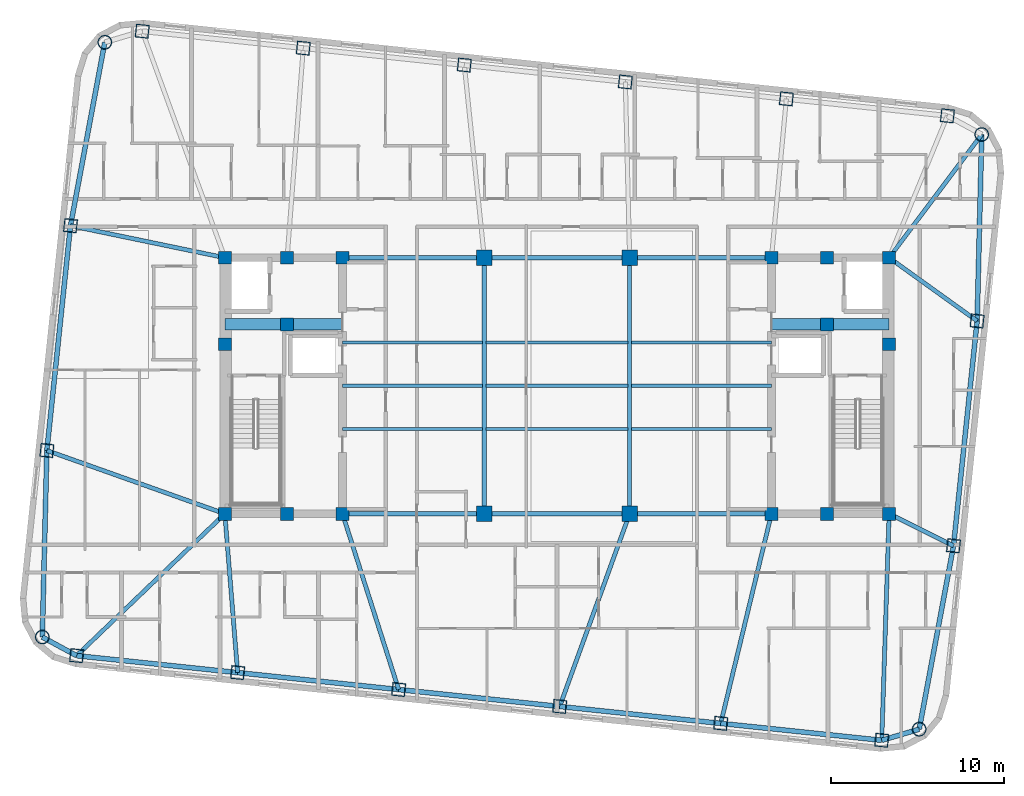
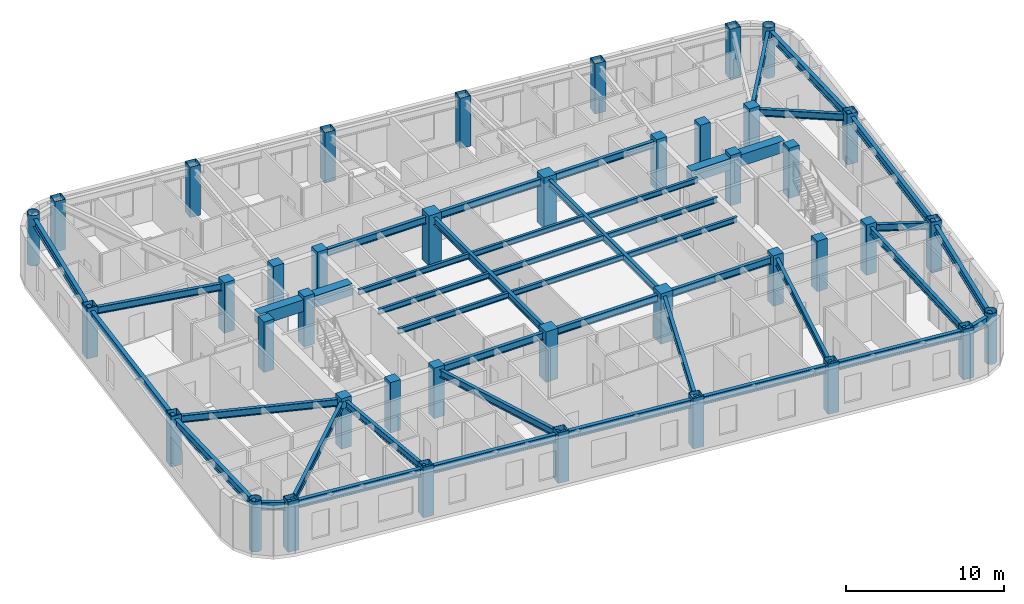
# One storey, part 1 of 11: 43 beams, 40 columns.
"""IFC4 building model written with IfcOpenShell, lengths in metres."""

from ifc_helpers import new_model, si_unit, direction, frame, origin, origin_2d, place, context, subcontext, project, spatial, rectangle, hollow_rectangle, hollow_circle, i_section, extrude, material, material_profile, profile_set, type_object, element, save


model = new_model("IFC4")

# Units and contexts
model_context = context("Model", 3, precision=1e-05, world=origin(), true_north=direction((0.0, 1.0)))
body_context = subcontext(model_context, "Body", "Model", "MODEL_VIEW")
ifc_project = project(units=[si_unit("LENGTHUNIT", "METRE"), si_unit("AREAUNIT", "SQUARE_METRE"), si_unit("VOLUMEUNIT", "CUBIC_METRE"), si_unit("PLANEANGLEUNIT", "RADIAN"), si_unit("MASSUNIT", "GRAM", prefix="KILO")], contexts=[model_context])

# Site, building, storey
site_placement = place(None, origin())
site = spatial("IfcSite", under=ifc_project, at=site_placement, CompositionType="ELEMENT")
building_placement = place(site_placement, origin())
building = spatial("IfcBuilding", under=site, at=building_placement, Name="Voryun Gate Residences", CompositionType="ELEMENT")
storey_placement = place(building_placement, frame((0.0, 0.0, 279.5)))
storey = spatial("IfcBuildingStorey", under=building, at=storey_placement, Name="L69", CompositionType="ELEMENT", Elevation=279.5)

# Columns
ifc_material_1 = material(Name="Concrete C50/60", Category="concrete")
ifc_material_profile_1 = material_profile(ifc_material_1, rectangle(XDim=0.75, YDim=0.75, at=origin_2d()), Name="RC-750x750")
ifc_profile_set_1 = profile_set([ifc_material_profile_1], Name="Concrete C50/60")
column_type_1 = type_object("IfcColumnType", Name="COL_CORE_750", PredefinedType="COLUMN", material=ifc_profile_set_1)
for number, where, z_axis, x_axis, name in (
    (1, (-19.199951171875, -7.39990234375, 0.0), (0.0, 0.0, 1.0), (1.0, 0.0, 0.0), "L69 Core boundary column WC-SW"),
    (2, (-19.199951171875, 2.39990234375, 0.0), (0.0, 0.0, 1.0), (1.0, 0.0, 0.0), "L69 Core boundary column WC-MW"),
    (3, (-19.199951171875, 7.39990234375, 0.0), (0.0, 0.0, 1.0), (1.0, 0.0, 0.0), "L69 Core boundary column WC-NW"),
    (4, (-15.60009765625, -7.39990234375, 0.0), (0.0, 0.0, 1.0), (1.0, 0.0, 0.0), "L69 Core boundary column WC-SM"),
    (5, (-15.60009765625, 7.39990234375, 0.0), (0.0, 0.0, 1.0), (1.0, 0.0, 0.0), "L69 Core boundary column WC-NM"),
    (6, (-12.39990234375, -7.39990234375, 0.0), (0.0, 0.0, 1.0), (1.0, 0.0, 0.0), "L69 Core boundary column WC-SE"),
    (7, (-15.60009765625, 3.550048828125, 0.0), (0.0, 0.0, 1.0), (1.0, 0.0, 0.0), "L69 Core boundary column WC-MM"),
    (8, (-12.39990234375, 7.39990234375, 0.0), (0.0, 0.0, 1.0), (1.0, 0.0, 0.0), "L69 Core boundary column WC-NE"),
    (9, (12.39990234375, -7.39990234375, 0.0), (0.0, 0.0, 1.0), (1.0, 0.0, 0.0), "L69 Core boundary column EC-SW"),
    (10, (15.60009765625, 3.550048828125, 0.0), (0.0, 0.0, 1.0), (1.0, 0.0, 0.0), "L69 Core boundary column EC-MM"),
    (11, (12.39990234375, 7.39990234375, 0.0), (0.0, 0.0, 1.0), (1.0, 0.0, 0.0), "L69 Core boundary column EC-NW"),
    (12, (15.60009765625, -7.39990234375, 0.0), (0.0, 0.0, 1.0), (1.0, 0.0, 0.0), "L69 Core boundary column EC-SM"),
    (13, (15.60009765625, 7.39990234375, 0.0), (0.0, 0.0, 1.0), (1.0, 0.0, 0.0), "L69 Core boundary column EC-NM"),
    (14, (19.199951171875, -7.39990234375, 0.0), (0.0, 0.0, 1.0), (1.0, 0.0, 0.0), "L69 Core boundary column EC-SE"),
    (15, (19.199951171875, 2.39990234375, 0.0), (0.0, 0.0, 1.0), (1.0, 0.0, 0.0), "L69 Core boundary column EC-ME"),
    (16, (19.199951171875, 7.39990234375, 0.0), (0.0, 0.0, 1.0), (1.0, 0.0, 0.0), "L69 Core boundary column EC-NE"),
):
    element("IfcColumn", number, at=place(storey_placement, frame(where, z_axis=z_axis, x_axis=x_axis)), inside=storey, type_object=column_type_1, Name=name, PredefinedType="COLUMN", context=body_context, shape_type="SweptSolid", body=[
        extrude(rectangle(XDim=0.75, YDim=0.75, at=origin_2d()), origin(), (0.0, 0.0, 1.0), 3.89990234375),
    ])
ifc_material_2 = material(Name="Concrete C50/60", Category="concrete")
ifc_material_profile_2 = material_profile(ifc_material_2, rectangle(XDim=0.89990234375, YDim=0.89990234375, at=origin_2d()), Name="RC-900x900")
ifc_profile_set_2 = profile_set([ifc_material_profile_2], Name="Concrete C50/60")
column_type_2 = type_object("IfcColumnType", Name="COL_CORE_900", PredefinedType="COLUMN", material=ifc_profile_set_2)
for number, where, z_axis, x_axis, name in (
    (17, (-4.199951171875, -7.39990234375, 0.0), (0.0, 0.0, 1.0), (1.0, 0.0, 0.0), "L69 Interior spine column SP-WS"),
    (18, (-4.199951171875, 7.39990234375, 0.0), (0.0, 0.0, 1.0), (1.0, 0.0, 0.0), "L69 Interior spine column SP-WN"),
    (19, (4.199951171875, -7.39990234375, 0.0), (0.0, 0.0, 1.0), (1.0, 0.0, 0.0), "L69 Interior spine column SP-ES"),
    (20, (4.199951171875, 7.39990234375, 0.0), (0.0, 0.0, 1.0), (1.0, 0.0, 0.0), "L69 Interior spine column SP-EN"),
):
    element("IfcColumn", number, at=place(storey_placement, frame(where, z_axis=z_axis, x_axis=x_axis)), inside=storey, type_object=column_type_2, Name=name, PredefinedType="COLUMN", context=body_context, shape_type="SweptSolid", body=[
        extrude(rectangle(XDim=0.89990234375, YDim=0.89990234375, at=origin_2d()), origin(), (0.0, 0.0, 1.0), 3.89990234375),
    ])
ifc_material_3 = material(Name="Steel SM355", Category="steel")
ifc_material_profile_3 = material_profile(ifc_material_3, hollow_circle(Radius=0.39990234375, WallThickness=0.028076171875, at=origin_2d()), Name="CHS-800x28")
ifc_profile_set_3 = profile_set([ifc_material_profile_3], Name="Steel SM355")
column_type_3 = type_object("IfcColumnType", Name="COL_CRN_800", PredefinedType="COLUMN", material=ifc_profile_set_3)
for number, where, z_axis, x_axis, name in (
    (21, (20.939453125, -19.855224609375, 0.0), (0.0, 0.0, 1.0), (0.994521895368, -0.104528463268, 0.0), "L69 Exoskeleton column CSE"),
    (22, (24.55322265625, 14.52734375, 0.0), (0.0, 0.0, 1.0), (0.994521895368, -0.104528463268, 0.0), "L69 Exoskeleton column CNE"),
    (23, (-26.139404296875, 19.855224609375, 0.0), (0.0, 0.0, 1.0), (0.994521895368, -0.104528463268, 0.0), "L69 Exoskeleton column CNW"),
    (24, (-29.753173828125, -14.52734375, 0.0), (0.0, 0.0, 1.0), (0.994521895368, -0.104528463268, 0.0), "L69 Exoskeleton column CSW"),
):
    element("IfcColumn", number, at=place(storey_placement, frame(where, z_axis=z_axis, x_axis=x_axis)), inside=storey, type_object=column_type_3, Name=name, PredefinedType="COLUMN", context=body_context, shape_type="SweptSolid", body=[
        extrude(hollow_circle(Radius=0.39990234375, WallThickness=0.028076171875, at=origin_2d()), origin(), (0.0, 0.0, 1.0), 3.89990234375),
    ])
ifc_material_4 = material(Name="Steel SM355", Category="steel")
ifc_material_profile_4 = material_profile(ifc_material_4, hollow_rectangle(XDim=0.75, YDim=0.75, WallThickness=0.02490234375, at=origin_2d()), Name="BOX-750x750x25")
ifc_profile_set_4 = profile_set([ifc_material_profile_4], Name="Steel SM355")
column_type_4 = type_object("IfcColumnType", Name="COL_EXO_B5", PredefinedType="COLUMN", material=ifc_profile_set_4)
for number, where, z_axis, x_axis, name in (
    (25, (-27.76904296875, -15.6044921875, 0.0), (0.0, 0.0, 1.0), (0.994521895368, -0.104528463268, 0.0), "L69 Exoskeleton column S1"),
    (26, (-18.460205078125, -16.5830078125, 0.0), (0.0, 0.0, 1.0), (0.994521895368, -0.104528463268, 0.0), "L69 Exoskeleton column S2"),
    (27, (-9.151611328125, -17.561279296875, 0.0), (0.0, 0.0, 1.0), (0.994521895368, -0.104528463268, 0.0), "L69 Exoskeleton column S3"),
    (28, (0.1572265625, -18.539794921875, 0.0), (0.0, 0.0, 1.0), (0.994521895368, -0.104528463268, 0.0), "L69 Exoskeleton column S4"),
    (29, (9.4658203125, -19.51806640625, 0.0), (0.0, 0.0, 1.0), (0.994521895368, -0.104528463268, 0.0), "L69 Exoskeleton column S5"),
    (30, (18.774658203125, -20.49658203125, 0.0), (0.0, 0.0, 1.0), (0.994521895368, -0.104528463268, 0.0), "L69 Exoskeleton column S6"),
    (31, (22.922607421875, -9.25244140625, 0.0), (0.0, 0.0, 1.0), (0.994521895368, -0.104528463268, 0.0), "L69 Exoskeleton column E1"),
    (32, (24.28857421875, 3.743896484375, 0.0), (0.0, 0.0, 1.0), (0.994521895368, -0.104528463268, 0.0), "L69 Exoskeleton column E2"),
    (33, (22.569091796875, 15.6044921875, 0.0), (0.0, 0.0, 1.0), (0.994521895368, -0.104528463268, 0.0), "L69 Exoskeleton column N1"),
    (34, (13.26025390625, 16.5830078125, 0.0), (0.0, 0.0, 1.0), (0.994521895368, -0.104528463268, 0.0), "L69 Exoskeleton column N2"),
    (35, (3.95166015625, 17.561279296875, 0.0), (0.0, 0.0, 1.0), (0.994521895368, -0.104528463268, 0.0), "L69 Exoskeleton column N3"),
    (36, (-5.357177734375, 18.539794921875, 0.0), (0.0, 0.0, 1.0), (0.994521895368, -0.104528463268, 0.0), "L69 Exoskeleton column N4"),
    (37, (-14.666015625, 19.51806640625, 0.0), (0.0, 0.0, 1.0), (0.994521895368, -0.104528463268, 0.0), "L69 Exoskeleton column N5"),
    (38, (-23.974609375, 20.49658203125, 0.0), (0.0, 0.0, 1.0), (0.994521895368, -0.104528463268, 0.0), "L69 Exoskeleton column N6"),
    (39, (-28.12255859375, 9.25244140625, 0.0), (0.0, 0.0, 1.0), (0.994521895368, -0.104528463268, 0.0), "L69 Exoskeleton column W1"),
    (40, (-29.488525390625, -3.743896484375, 0.0), (0.0, 0.0, 1.0), (0.994521895368, -0.104528463268, 0.0), "L69 Exoskeleton column W2"),
):
    element("IfcColumn", number, at=place(storey_placement, frame(where, z_axis=z_axis, x_axis=x_axis)), inside=storey, type_object=column_type_4, Name=name, PredefinedType="COLUMN", context=body_context, shape_type="SweptSolid", body=[
        extrude(hollow_rectangle(XDim=0.75, YDim=0.75, WallThickness=0.02490234375, at=origin_2d()), origin(), (0.0, 0.0, 1.0), 3.89990234375),
    ])

# Beams
ifc_material_5 = material(Name="Concrete C60/75", Category="concrete")
ifc_material_profile_5 = material_profile(ifc_material_5, rectangle(XDim=0.64990234375, YDim=0.89990234375, at=origin_2d()), Name="RC-650x900")
ifc_profile_set_5 = profile_set([ifc_material_profile_5], Name="Concrete C60/75")
beam_type_1 = type_object("IfcBeamType", Name="BM_COUP_RC900", PredefinedType="LINTEL", material=ifc_profile_set_5)
for number, where, z_axis, x_axis, name in (
    (41, (-19.199951171875, 3.550048828125, 3.199951171875), (1.0, 0.0, 0.0), (0.0, 1.0, 0.0), "BM-L69-WC1"),
    (42, (12.39990234375, 3.550048828125, 3.199951171875), (1.0, 0.0, 0.0), (0.0, 1.0, 0.0), "BM-L69-EC1"),
):
    element("IfcBeam", number, at=place(storey_placement, frame(where, z_axis=z_axis, x_axis=x_axis)), inside=storey, type_object=beam_type_1, Name=name, PredefinedType="LINTEL", context=body_context, shape_type="SweptSolid", body=[
        extrude(rectangle(XDim=0.64990234375, YDim=0.89990234375, at=origin_2d()), origin(), (0.0, 0.0, 1.0), 6.800048828125),
    ])
ifc_material_6 = material(Name="Steel SM355", Category="steel")
ifc_material_profile_6 = material_profile(ifc_material_6, i_section(OverallWidth=0.280029296875, OverallDepth=0.6201171875, WebThickness=0.013916015625, FlangeThickness=0.02197265625, FilletRadius=0.01806640625, at=origin_2d()), Name="H-620x280x14x22")
ifc_profile_set_6 = profile_set([ifc_material_profile_6], Name="Steel SM355")
beam_type_2 = type_object("IfcBeamType", Name="BM_EXO_SPANDREL_H", PredefinedType="SPANDREL", material=ifc_profile_set_6)
beam_1_placement = place(storey_placement, frame((-27.76904296875, -15.6044921875, 3.340087890625), z_axis=(0.994520592114, -0.104540862157, 0.0), x_axis=(0.104540862157, 0.994520592114, 0.0)))
element("IfcBeam", 43, at=beam_1_placement, inside=storey, type_object=beam_type_2, Name="BM-L69-SPAND-01", PredefinedType="SPANDREL", context=body_context, shape_type="SweptSolid", body=[
    extrude(i_section(OverallWidth=0.280029296875, OverallDepth=0.6201171875, WebThickness=0.013916015625, FlangeThickness=0.02197265625, FilletRadius=0.01806640625, at=origin_2d()), origin(), (0.0, 0.0, 1.0), 9.360107421875),
])
beam_2_placement = place(storey_placement, frame((-18.460205078125, -16.5830078125, 3.340087890625), z_axis=(0.994523018663, -0.104517775278, 0.0), x_axis=(0.104517775278, 0.994523018663, 0.0)))
element("IfcBeam", 44, at=beam_2_placement, inside=storey, type_object=beam_type_2, Name="BM-L69-SPAND-02", PredefinedType="SPANDREL", context=body_context, shape_type="SweptSolid", body=[
    extrude(i_section(OverallWidth=0.280029296875, OverallDepth=0.6201171875, WebThickness=0.013916015625, FlangeThickness=0.02197265625, FilletRadius=0.01806640625, at=origin_2d()), origin(), (0.0, 0.0, 1.0), 9.35986328125),
])
beam_3_placement = place(storey_placement, frame((-9.151611328125, -17.561279296875, 3.340087890625), z_axis=(0.994520592114, -0.104540862157, 0.0), x_axis=(0.104540862157, 0.994520592114, 0.0)))
element("IfcBeam", 45, at=beam_3_placement, inside=storey, type_object=beam_type_2, Name="BM-L69-SPAND-03", PredefinedType="SPANDREL", context=body_context, shape_type="SweptSolid", body=[
    extrude(i_section(OverallWidth=0.280029296875, OverallDepth=0.6201171875, WebThickness=0.013916015625, FlangeThickness=0.02197265625, FilletRadius=0.01806640625, at=origin_2d()), origin(), (0.0, 0.0, 1.0), 9.360107421875),
])
beam_4_placement = place(storey_placement, frame((0.1572265625, -18.539794921875, 3.340087890625), z_axis=(0.994523018663, -0.104517775278, 0.0), x_axis=(0.104517775278, 0.994523018663, 0.0)))
element("IfcBeam", 46, at=beam_4_placement, inside=storey, type_object=beam_type_2, Name="BM-L69-SPAND-04", PredefinedType="SPANDREL", context=body_context, shape_type="SweptSolid", body=[
    extrude(i_section(OverallWidth=0.280029296875, OverallDepth=0.6201171875, WebThickness=0.013916015625, FlangeThickness=0.02197265625, FilletRadius=0.01806640625, at=origin_2d()), origin(), (0.0, 0.0, 1.0), 9.35986328125),
])
beam_5_placement = place(storey_placement, frame((9.4658203125, -19.51806640625, 3.340087890625), z_axis=(0.994520592114, -0.104540862157, 0.0), x_axis=(0.104540862157, 0.994520592114, 0.0)))
element("IfcBeam", 47, at=beam_5_placement, inside=storey, type_object=beam_type_2, Name="BM-L69-SPAND-05", PredefinedType="SPANDREL", context=body_context, shape_type="SweptSolid", body=[
    extrude(i_section(OverallWidth=0.280029296875, OverallDepth=0.6201171875, WebThickness=0.013916015625, FlangeThickness=0.02197265625, FilletRadius=0.01806640625, at=origin_2d()), origin(), (0.0, 0.0, 1.0), 9.360107421875),
])
beam_6_placement = place(storey_placement, frame((18.774658203125, -20.49658203125, 3.340087890625), z_axis=(0.958805748412, 0.28406255792, 0.0), x_axis=(-0.28406255792, 0.958805748412, 0.0)))
element("IfcBeam", 48, at=beam_6_placement, inside=storey, type_object=beam_type_2, Name="BM-L69-SPAND-06", PredefinedType="SPANDREL", context=body_context, shape_type="SweptSolid", body=[
    extrude(i_section(OverallWidth=0.280029296875, OverallDepth=0.6201171875, WebThickness=0.013916015625, FlangeThickness=0.02197265625, FilletRadius=0.01806640625, at=origin_2d()), origin(), (0.0, 0.0, 1.0), 2.2578125),
])
beam_7_placement = place(storey_placement, frame((20.939453125, -19.855224609375, 3.340087890625), z_axis=(0.183852585596, 0.982953827384, 0.0), x_axis=(-0.982953827384, 0.183852585596, 0.0)))
element("IfcBeam", 49, at=beam_7_placement, inside=storey, type_object=beam_type_2, Name="BM-L69-SPAND-07", PredefinedType="SPANDREL", context=body_context, shape_type="SweptSolid", body=[
    extrude(i_section(OverallWidth=0.280029296875, OverallDepth=0.6201171875, WebThickness=0.013916015625, FlangeThickness=0.02197265625, FilletRadius=0.01806640625, at=origin_2d()), origin(), (0.0, 0.0, 1.0), 10.78662109375),
])
beam_8_placement = place(storey_placement, frame((22.922607421875, -9.25244140625, 3.340087890625), z_axis=(0.104528209082, 0.994521922084, 0.0), x_axis=(-0.994521922084, 0.104528209082, 0.0)))
element("IfcBeam", 50, at=beam_8_placement, inside=storey, type_object=beam_type_2, Name="BM-L69-SPAND-08", PredefinedType="SPANDREL", context=body_context, shape_type="SweptSolid", body=[
    extrude(i_section(OverallWidth=0.280029296875, OverallDepth=0.6201171875, WebThickness=0.013916015625, FlangeThickness=0.02197265625, FilletRadius=0.01806640625, at=origin_2d()), origin(), (0.0, 0.0, 1.0), 13.06787109375),
])
for number, where, z_axis, x_axis, name in (
    (51, (24.28857421875, 3.743896484375, 3.340087890625), (0.024534711967, 0.999698978647, 0.0), (-0.999698978647, 0.024534711967, 0.0), "BM-L69-SPAND-09"),
    (52, (-26.139404296875, 19.855224609375, 3.340087890625), (-0.183852585596, -0.982953827384, 0.0), (0.982953827384, -0.183852585596, 0.0), "BM-L69-SPAND-17"),
):
    element("IfcBeam", number, at=place(storey_placement, frame(where, z_axis=z_axis, x_axis=x_axis)), inside=storey, type_object=beam_type_2, Name=name, PredefinedType="SPANDREL", context=body_context, shape_type="SweptSolid", body=[
        extrude(i_section(OverallWidth=0.280029296875, OverallDepth=0.6201171875, WebThickness=0.013916015625, FlangeThickness=0.02197265625, FilletRadius=0.01806640625, at=origin_2d()), origin(), (0.0, 0.0, 1.0), 10.78662109375),
    ])
beam_9_placement = place(storey_placement, frame((-28.12255859375, 9.25244140625, 3.340087890625), z_axis=(-0.104528209082, -0.994521922084, 0.0), x_axis=(0.994521922084, -0.104528209082, 0.0)))
element("IfcBeam", 53, at=beam_9_placement, inside=storey, type_object=beam_type_2, Name="BM-L69-SPAND-18", PredefinedType="SPANDREL", context=body_context, shape_type="SweptSolid", body=[
    extrude(i_section(OverallWidth=0.280029296875, OverallDepth=0.6201171875, WebThickness=0.013916015625, FlangeThickness=0.02197265625, FilletRadius=0.01806640625, at=origin_2d()), origin(), (0.0, 0.0, 1.0), 13.06787109375),
])
beam_10_placement = place(storey_placement, frame((-29.488525390625, -3.743896484375, 3.340087890625), z_axis=(-0.024534711967, -0.999698978647, 0.0), x_axis=(0.999698978647, -0.024534711967, 0.0)))
element("IfcBeam", 54, at=beam_10_placement, inside=storey, type_object=beam_type_2, Name="BM-L69-SPAND-19", PredefinedType="SPANDREL", context=body_context, shape_type="SweptSolid", body=[
    extrude(i_section(OverallWidth=0.280029296875, OverallDepth=0.6201171875, WebThickness=0.013916015625, FlangeThickness=0.02197265625, FilletRadius=0.01806640625, at=origin_2d()), origin(), (0.0, 0.0, 1.0), 10.78662109375),
])
beam_11_placement = place(storey_placement, frame((-29.753173828125, -14.52734375, 3.340087890625), z_axis=(0.878844363117, -0.477108567746, 0.0), x_axis=(0.477108567746, 0.878844363117, 0.0)))
element("IfcBeam", 55, at=beam_11_placement, inside=storey, type_object=beam_type_2, Name="BM-L69-SPAND-20", PredefinedType="SPANDREL", context=body_context, shape_type="SweptSolid", body=[
    extrude(i_section(OverallWidth=0.280029296875, OverallDepth=0.6201171875, WebThickness=0.013916015625, FlangeThickness=0.02197265625, FilletRadius=0.01806640625, at=origin_2d()), origin(), (0.0, 0.0, 1.0), 2.257568359375),
])
ifc_material_7 = material(Name="Steel SM355", Category="steel")
ifc_material_profile_7 = material_profile(ifc_material_7, i_section(OverallWidth=0.239990234375, OverallDepth=0.550048828125, WebThickness=0.011962890625, FlangeThickness=0.02001953125, FilletRadius=0.01806640625, at=origin_2d()), Name="H-550x240x12x20")
ifc_profile_set_7 = profile_set([ifc_material_profile_7], Name="Steel SM355")
beam_type_3 = type_object("IfcBeamType", Name="BM_GIRD_550", PredefinedType="USERDEFINED", material=ifc_profile_set_7)
beam_12_placement = place(storey_placement, frame((-12.39990234375, -7.39990234375, 3.375), z_axis=(1.0, 0.0, 0.0), x_axis=(0.0, 1.0, 0.0)))
element("IfcBeam", 56, at=beam_12_placement, inside=storey, type_object=beam_type_3, Name="BM-L69-SPG1-S", ObjectType="GIRDER", PredefinedType="USERDEFINED", context=body_context, shape_type="SweptSolid", body=[
    extrude(i_section(OverallWidth=0.239990234375, OverallDepth=0.550048828125, WebThickness=0.011962890625, FlangeThickness=0.02001953125, FilletRadius=0.01806640625, at=origin_2d()), origin(), (0.0, 0.0, 1.0), 8.199951171875),
])
beam_13_placement = place(storey_placement, frame((-4.199951171875, -7.39990234375, 3.375), z_axis=(1.0, 0.0, 0.0), x_axis=(0.0, 1.0, 0.0)))
element("IfcBeam", 57, at=beam_13_placement, inside=storey, type_object=beam_type_3, Name="BM-L69-SPG2-S", ObjectType="GIRDER", PredefinedType="USERDEFINED", context=body_context, shape_type="SweptSolid", body=[
    extrude(i_section(OverallWidth=0.239990234375, OverallDepth=0.550048828125, WebThickness=0.011962890625, FlangeThickness=0.02001953125, FilletRadius=0.01806640625, at=origin_2d()), origin(), (0.0, 0.0, 1.0), 8.39990234375),
])
for number, where, z_axis, x_axis, name in (
    (58, (4.199951171875, -7.39990234375, 3.375), (1.0, 0.0, 0.0), (0.0, 1.0, 0.0), "BM-L69-SPG3-S"),
    (59, (-12.39990234375, 7.39990234375, 3.375), (1.0, 0.0, 0.0), (0.0, 1.0, 0.0), "BM-L69-SPG1-N"),
):
    element("IfcBeam", number, at=place(storey_placement, frame(where, z_axis=z_axis, x_axis=x_axis)), inside=storey, type_object=beam_type_3, Name=name, ObjectType="GIRDER", PredefinedType="USERDEFINED", context=body_context, shape_type="SweptSolid", body=[
        extrude(i_section(OverallWidth=0.239990234375, OverallDepth=0.550048828125, WebThickness=0.011962890625, FlangeThickness=0.02001953125, FilletRadius=0.01806640625, at=origin_2d()), origin(), (0.0, 0.0, 1.0), 8.199951171875),
    ])
beam_14_placement = place(storey_placement, frame((-4.199951171875, 7.39990234375, 3.375), z_axis=(1.0, 0.0, 0.0), x_axis=(0.0, 1.0, 0.0)))
element("IfcBeam", 60, at=beam_14_placement, inside=storey, type_object=beam_type_3, Name="BM-L69-SPG2-N", ObjectType="GIRDER", PredefinedType="USERDEFINED", context=body_context, shape_type="SweptSolid", body=[
    extrude(i_section(OverallWidth=0.239990234375, OverallDepth=0.550048828125, WebThickness=0.011962890625, FlangeThickness=0.02001953125, FilletRadius=0.01806640625, at=origin_2d()), origin(), (0.0, 0.0, 1.0), 8.39990234375),
])
beam_15_placement = place(storey_placement, frame((4.199951171875, 7.39990234375, 3.375), z_axis=(1.0, 0.0, 0.0), x_axis=(0.0, 1.0, 0.0)))
element("IfcBeam", 61, at=beam_15_placement, inside=storey, type_object=beam_type_3, Name="BM-L69-SPG3-N", ObjectType="GIRDER", PredefinedType="USERDEFINED", context=body_context, shape_type="SweptSolid", body=[
    extrude(i_section(OverallWidth=0.239990234375, OverallDepth=0.550048828125, WebThickness=0.011962890625, FlangeThickness=0.02001953125, FilletRadius=0.01806640625, at=origin_2d()), origin(), (0.0, 0.0, 1.0), 8.199951171875),
])
for number, where, z_axis, x_axis, name in (
    (62, (-4.199951171875, -7.39990234375, 3.375), (0.0, 1.0, 0.0), (-1.0, 0.0, 0.0), "BM-L69-SPX-W"),
    (63, (4.199951171875, -7.39990234375, 3.375), (0.0, 1.0, 0.0), (-1.0, 0.0, 0.0), "BM-L69-SPX-E"),
):
    element("IfcBeam", number, at=place(storey_placement, frame(where, z_axis=z_axis, x_axis=x_axis)), inside=storey, type_object=beam_type_3, Name=name, ObjectType="GIRDER", PredefinedType="USERDEFINED", context=body_context, shape_type="SweptSolid", body=[
        extrude(i_section(OverallWidth=0.239990234375, OverallDepth=0.550048828125, WebThickness=0.011962890625, FlangeThickness=0.02001953125, FilletRadius=0.01806640625, at=origin_2d()), origin(), (0.0, 0.0, 1.0), 14.7998046875),
    ])
beam_16_placement = place(storey_placement, frame((-19.199951171875, -7.39990234375, 3.375), z_axis=(-0.722302104769, -0.691577666966, 0.0), x_axis=(0.691577666966, -0.722302104769, 0.0)))
element("IfcBeam", 64, at=beam_16_placement, inside=storey, type_object=beam_type_3, Name="BM-L69-RAD-S1", ObjectType="GIRDER", PredefinedType="USERDEFINED", context=body_context, shape_type="SweptSolid", body=[
    extrude(i_section(OverallWidth=0.239990234375, OverallDepth=0.550048828125, WebThickness=0.011962890625, FlangeThickness=0.02001953125, FilletRadius=0.01806640625, at=origin_2d()), origin(), (0.0, 0.0, 1.0), 11.863525390625),
])
beam_17_placement = place(storey_placement, frame((-19.199951171875, -7.39990234375, 3.375), z_axis=(0.080295011504, -0.996771142804, 0.0), x_axis=(0.996771142804, 0.080295011504, 0.0)))
element("IfcBeam", 65, at=beam_17_placement, inside=storey, type_object=beam_type_3, Name="BM-L69-RAD-S2", ObjectType="GIRDER", PredefinedType="USERDEFINED", context=body_context, shape_type="SweptSolid", body=[
    extrude(i_section(OverallWidth=0.239990234375, OverallDepth=0.550048828125, WebThickness=0.011962890625, FlangeThickness=0.02001953125, FilletRadius=0.01806640625, at=origin_2d()), origin(), (0.0, 0.0, 1.0), 9.212890625),
])
beam_18_placement = place(storey_placement, frame((-12.39990234375, -7.39990234375, 3.375), z_axis=(0.30449089095, -0.952515247819, 0.0), x_axis=(0.952515247819, 0.30449089095, 0.0)))
element("IfcBeam", 66, at=beam_18_placement, inside=storey, type_object=beam_type_3, Name="BM-L69-RAD-S3", ObjectType="GIRDER", PredefinedType="USERDEFINED", context=body_context, shape_type="SweptSolid", body=[
    extrude(i_section(OverallWidth=0.239990234375, OverallDepth=0.550048828125, WebThickness=0.011962890625, FlangeThickness=0.02001953125, FilletRadius=0.01806640625, at=origin_2d()), origin(), (0.0, 0.0, 1.0), 10.66796875),
])
beam_19_placement = place(storey_placement, frame((4.199951171875, -7.39990234375, 3.375), z_axis=(-0.341135931896, -0.940013976476, 0.0), x_axis=(0.940013976476, -0.341135931896, 0.0)))
element("IfcBeam", 67, at=beam_19_placement, inside=storey, type_object=beam_type_3, Name="BM-L69-RAD-S4", ObjectType="GIRDER", PredefinedType="USERDEFINED", context=body_context, shape_type="SweptSolid", body=[
    extrude(i_section(OverallWidth=0.239990234375, OverallDepth=0.550048828125, WebThickness=0.011962890625, FlangeThickness=0.02001953125, FilletRadius=0.01806640625, at=origin_2d()), origin(), (0.0, 0.0, 1.0), 11.850830078125),
])
beam_20_placement = place(storey_placement, frame((12.39990234375, -7.39990234375, 3.375), z_axis=(-0.235323166357, -0.971917181336, 0.0), x_axis=(0.971917181336, -0.235323166357, 0.0)))
element("IfcBeam", 68, at=beam_20_placement, inside=storey, type_object=beam_type_3, Name="BM-L69-RAD-S5", ObjectType="GIRDER", PredefinedType="USERDEFINED", context=body_context, shape_type="SweptSolid", body=[
    extrude(i_section(OverallWidth=0.239990234375, OverallDepth=0.550048828125, WebThickness=0.011962890625, FlangeThickness=0.02001953125, FilletRadius=0.01806640625, at=origin_2d()), origin(), (0.0, 0.0, 1.0), 12.46826171875),
])
beam_21_placement = place(storey_placement, frame((19.199951171875, -7.39990234375, 3.375), z_axis=(-0.032456234446, -0.999473157641, 0.0), x_axis=(0.999473157641, -0.032456234446, 0.0)))
element("IfcBeam", 69, at=beam_21_placement, inside=storey, type_object=beam_type_3, Name="BM-L69-RAD-S6", ObjectType="GIRDER", PredefinedType="USERDEFINED", context=body_context, shape_type="SweptSolid", body=[
    extrude(i_section(OverallWidth=0.239990234375, OverallDepth=0.550048828125, WebThickness=0.011962890625, FlangeThickness=0.02001953125, FilletRadius=0.01806640625, at=origin_2d()), origin(), (0.0, 0.0, 1.0), 13.103515625),
])
beam_22_placement = place(storey_placement, frame((19.199951171875, -7.39990234375, 3.375), z_axis=(0.895271074172, -0.445521833081, 0.0), x_axis=(0.445521833081, 0.895271074172, 0.0)))
element("IfcBeam", 70, at=beam_22_placement, inside=storey, type_object=beam_type_3, Name="BM-L69-RAD-E1", ObjectType="GIRDER", PredefinedType="USERDEFINED", context=body_context, shape_type="SweptSolid", body=[
    extrude(i_section(OverallWidth=0.239990234375, OverallDepth=0.550048828125, WebThickness=0.011962890625, FlangeThickness=0.02001953125, FilletRadius=0.01806640625, at=origin_2d()), origin(), (0.0, 0.0, 1.0), 4.158203125),
])
beam_23_placement = place(storey_placement, frame((19.199951171875, 7.39990234375, 3.375), z_axis=(0.81212442094, -0.583484297058, 0.0), x_axis=(0.583484297058, 0.81212442094, 0.0)))
element("IfcBeam", 71, at=beam_23_placement, inside=storey, type_object=beam_type_3, Name="BM-L69-RAD-E2", ObjectType="GIRDER", PredefinedType="USERDEFINED", context=body_context, shape_type="SweptSolid", body=[
    extrude(i_section(OverallWidth=0.239990234375, OverallDepth=0.550048828125, WebThickness=0.011962890625, FlangeThickness=0.02001953125, FilletRadius=0.01806640625, at=origin_2d()), origin(), (0.0, 0.0, 1.0), 6.265869140625),
])
beam_24_placement = place(storey_placement, frame((19.199951171875, 7.39990234375, 3.375), z_axis=(0.60055201327, 0.799585692316, 0.0), x_axis=(-0.799585692316, 0.60055201327, 0.0)))
element("IfcBeam", 72, at=beam_24_placement, inside=storey, type_object=beam_type_3, Name="BM-L69-RAD-CNE", ObjectType="GIRDER", PredefinedType="USERDEFINED", context=body_context, shape_type="SweptSolid", body=[
    extrude(i_section(OverallWidth=0.239990234375, OverallDepth=0.550048828125, WebThickness=0.011962890625, FlangeThickness=0.02001953125, FilletRadius=0.01806640625, at=origin_2d()), origin(), (0.0, 0.0, 1.0), 8.913818359375),
])
beam_25_placement = place(storey_placement, frame((-19.199951171875, 7.39990234375, 3.375), z_axis=(-0.979119049711, 0.203287693907, 0.0), x_axis=(-0.203287693907, -0.979119049711, 0.0)))
element("IfcBeam", 73, at=beam_25_placement, inside=storey, type_object=beam_type_3, Name="BM-L69-RAD-W1", ObjectType="GIRDER", PredefinedType="USERDEFINED", context=body_context, shape_type="SweptSolid", body=[
    extrude(i_section(OverallWidth=0.239990234375, OverallDepth=0.550048828125, WebThickness=0.011962890625, FlangeThickness=0.02001953125, FilletRadius=0.01806640625, at=origin_2d()), origin(), (0.0, 0.0, 1.0), 9.11279296875),
])
beam_26_placement = place(storey_placement, frame((-19.199951171875, -7.39990234375, 3.375), z_axis=(-0.942276939669, 0.334834539688, 0.0), x_axis=(-0.334834539688, -0.942276939669, 0.0)))
element("IfcBeam", 74, at=beam_26_placement, inside=storey, type_object=beam_type_3, Name="BM-L69-RAD-W2", ObjectType="GIRDER", PredefinedType="USERDEFINED", context=body_context, shape_type="SweptSolid", body=[
    extrude(i_section(OverallWidth=0.239990234375, OverallDepth=0.550048828125, WebThickness=0.011962890625, FlangeThickness=0.02001953125, FilletRadius=0.01806640625, at=origin_2d()), origin(), (0.0, 0.0, 1.0), 10.9189453125),
])
ifc_material_8 = material(Name="Steel SM355", Category="steel")
ifc_material_profile_8 = material_profile(ifc_material_8, i_section(OverallWidth=0.18994140625, OverallDepth=0.419921875, WebThickness=0.009033203125, FlangeThickness=0.01611328125, FilletRadius=0.01806640625, at=origin_2d()), Name="H-420x190x9x16")
ifc_profile_set_8 = profile_set([ifc_material_profile_8], Name="Steel SM355")
beam_type_4 = type_object("IfcBeamType", Name="BM_SEC_420", PredefinedType="BEAM", material=ifc_profile_set_8)
beam_27_placement = place(storey_placement, frame((-12.39990234375, -2.5, 3.43994140625), z_axis=(1.0, 0.0, 0.0), x_axis=(0.0, 1.0, 0.0)))
element("IfcBeam", 75, at=beam_27_placement, inside=storey, type_object=beam_type_4, Name="BM-L69-SEC-CS1", PredefinedType="BEAM", context=body_context, shape_type="SweptSolid", body=[
    extrude(i_section(OverallWidth=0.18994140625, OverallDepth=0.419921875, WebThickness=0.009033203125, FlangeThickness=0.01611328125, FilletRadius=0.01806640625, at=origin_2d()), origin(), (0.0, 0.0, 1.0), 8.099853515625),
])
beam_28_placement = place(storey_placement, frame((-4.10009765625, -2.5, 3.43994140625), z_axis=(1.0, 0.0, 0.0), x_axis=(0.0, 1.0, 0.0)))
element("IfcBeam", 76, at=beam_28_placement, inside=storey, type_object=beam_type_4, Name="BM-L69-SEC-CS2", PredefinedType="BEAM", context=body_context, shape_type="SweptSolid", body=[
    extrude(i_section(OverallWidth=0.18994140625, OverallDepth=0.419921875, WebThickness=0.009033203125, FlangeThickness=0.01611328125, FilletRadius=0.01806640625, at=origin_2d()), origin(), (0.0, 0.0, 1.0), 8.2001953125),
])
for number, where, z_axis, x_axis, name in (
    (77, (4.300048828125, -2.5, 3.43994140625), (1.0, 0.0, 0.0), (0.0, 1.0, 0.0), "BM-L69-SEC-CS3"),
    (78, (-12.39990234375, 0.0, 3.43994140625), (1.0, 0.0, 0.0), (0.0, 1.0, 0.0), "BM-L69-SEC-CM1"),
):
    element("IfcBeam", number, at=place(storey_placement, frame(where, z_axis=z_axis, x_axis=x_axis)), inside=storey, type_object=beam_type_4, Name=name, PredefinedType="BEAM", context=body_context, shape_type="SweptSolid", body=[
        extrude(i_section(OverallWidth=0.18994140625, OverallDepth=0.419921875, WebThickness=0.009033203125, FlangeThickness=0.01611328125, FilletRadius=0.01806640625, at=origin_2d()), origin(), (0.0, 0.0, 1.0), 8.099853515625),
    ])
beam_29_placement = place(storey_placement, frame((-4.10009765625, 0.0, 3.43994140625), z_axis=(1.0, 0.0, 0.0), x_axis=(0.0, 1.0, 0.0)))
element("IfcBeam", 79, at=beam_29_placement, inside=storey, type_object=beam_type_4, Name="BM-L69-SEC-CM2", PredefinedType="BEAM", context=body_context, shape_type="SweptSolid", body=[
    extrude(i_section(OverallWidth=0.18994140625, OverallDepth=0.419921875, WebThickness=0.009033203125, FlangeThickness=0.01611328125, FilletRadius=0.01806640625, at=origin_2d()), origin(), (0.0, 0.0, 1.0), 8.2001953125),
])
for number, where, z_axis, x_axis, name in (
    (80, (4.300048828125, 0.0, 3.43994140625), (1.0, 0.0, 0.0), (0.0, 1.0, 0.0), "BM-L69-SEC-CM3"),
    (81, (-12.39990234375, 2.5, 3.43994140625), (1.0, 0.0, 0.0), (0.0, 1.0, 0.0), "BM-L69-SEC-CN1"),
):
    element("IfcBeam", number, at=place(storey_placement, frame(where, z_axis=z_axis, x_axis=x_axis)), inside=storey, type_object=beam_type_4, Name=name, PredefinedType="BEAM", context=body_context, shape_type="SweptSolid", body=[
        extrude(i_section(OverallWidth=0.18994140625, OverallDepth=0.419921875, WebThickness=0.009033203125, FlangeThickness=0.01611328125, FilletRadius=0.01806640625, at=origin_2d()), origin(), (0.0, 0.0, 1.0), 8.099853515625),
    ])
beam_30_placement = place(storey_placement, frame((-4.10009765625, 2.5, 3.43994140625), z_axis=(1.0, 0.0, 0.0), x_axis=(0.0, 1.0, 0.0)))
element("IfcBeam", 82, at=beam_30_placement, inside=storey, type_object=beam_type_4, Name="BM-L69-SEC-CN2", PredefinedType="BEAM", context=body_context, shape_type="SweptSolid", body=[
    extrude(i_section(OverallWidth=0.18994140625, OverallDepth=0.419921875, WebThickness=0.009033203125, FlangeThickness=0.01611328125, FilletRadius=0.01806640625, at=origin_2d()), origin(), (0.0, 0.0, 1.0), 8.2001953125),
])
beam_31_placement = place(storey_placement, frame((4.300048828125, 2.5, 3.43994140625), z_axis=(1.0, 0.0, 0.0), x_axis=(0.0, 1.0, 0.0)))
element("IfcBeam", 83, at=beam_31_placement, inside=storey, type_object=beam_type_4, Name="BM-L69-SEC-CN3", PredefinedType="BEAM", context=body_context, shape_type="SweptSolid", body=[
    extrude(i_section(OverallWidth=0.18994140625, OverallDepth=0.419921875, WebThickness=0.009033203125, FlangeThickness=0.01611328125, FilletRadius=0.01806640625, at=origin_2d()), origin(), (0.0, 0.0, 1.0), 8.099853515625),
])

save(model, "model.ifc")
